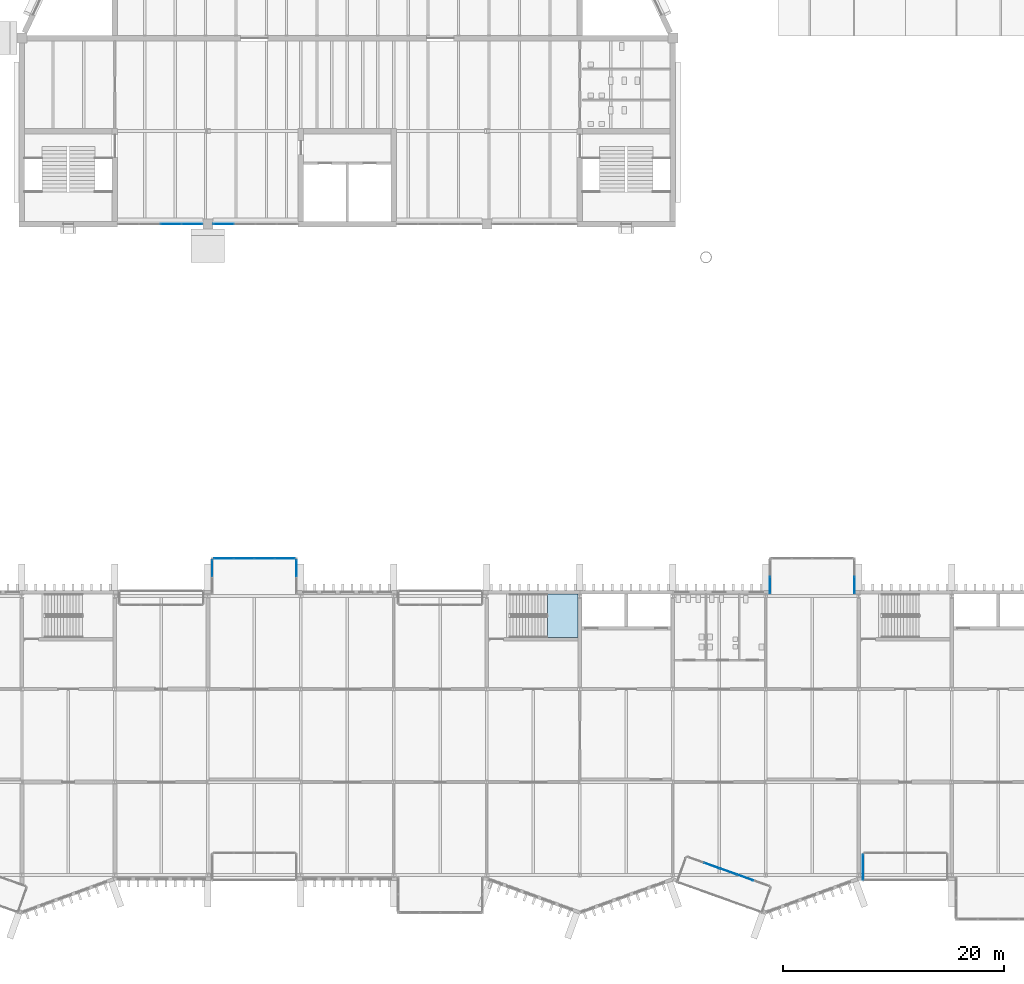
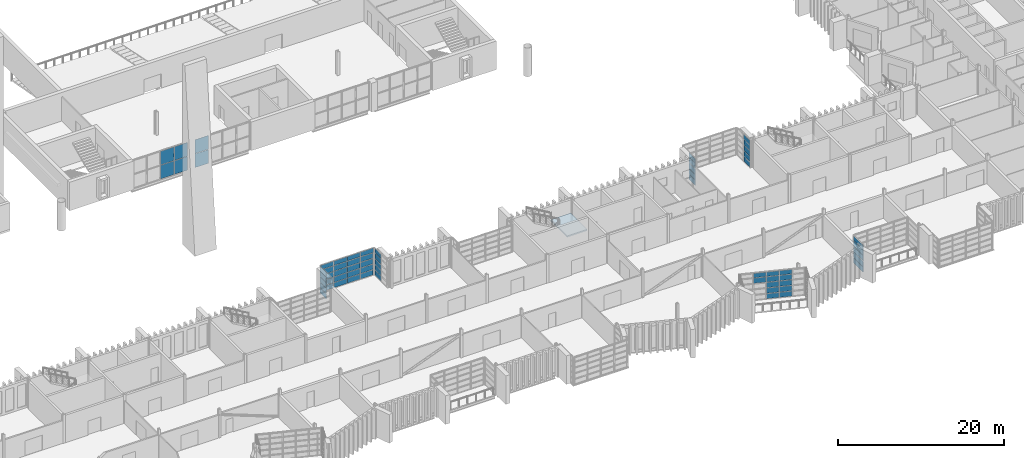
# One storey, part 51 of 100: 63 plates, 1 slab, 10 elements without a shape of their own.
"""IFC4 building model written with IfcOpenShell, lengths in metres."""

import ifcopenshell
import ifcopenshell.guid

model = None  # the IFC model being written
_history = None  # IfcOwnerHistory: only IFC2X3 demands one
_inside = {}  # id of a spatial element -> (the spatial element, [elements in it])
_under = {}  # id of a project, library or spatial element -> (it, [spatial elements below it])
_declared = {}  # id of a project -> (the project, [libraries it declares])
_typed = {}  # id of a type object -> (the type object, [elements of that type])
_made_of = {}  # id of a material, layer set ... -> (it, [elements and type objects made of it])


def new_model(schema):
    """Start an empty IFC model of exactly this schema.

    Asked for "IFC4X3", IfcOpenShell would pick the latest addendum, in which some entities
    have other attributes; the version numbers below select the first issue.
    IFC2X3 requires an IfcOwnerHistory on every rooted entity: one is made here for all.
    """
    global model, _history
    if schema == "IFC4X3":
        model = ifcopenshell.file(schema_version=(4, 3, 0, 0))
    else:
        model = ifcopenshell.file(schema=schema)
    _inside.clear()
    _under.clear()
    _declared.clear()
    _typed.clear()
    _made_of.clear()
    _history = None
    if model.schema == "IFC2X3":
        org = make("IfcOrganization", Name="unknown")
        user = make(
            "IfcPersonAndOrganization",
            ThePerson=make("IfcPerson", FamilyName="unknown"),
            TheOrganization=org,
        )
        app = make(
            "IfcApplication",
            ApplicationDeveloper=org,
            Version="unknown",
            ApplicationFullName="unknown",
            ApplicationIdentifier="unknown",
        )
        _history = make(
            "IfcOwnerHistory",
            OwningUser=user,
            OwningApplication=app,
            ChangeAction="ADDED",
            CreationDate=0,
        )
    return model


def make(cls, **values):
    """One entity of the class cls with the attributes given. An attribute that is None is left unset."""
    return model.create_entity(
        cls, **{name: value for name, value in values.items() if value is not None}
    )


def rooted(cls, **values):
    """An entity with a GlobalId (a new one), such as an element, a storey or a relation."""
    return make(cls, GlobalId=ifcopenshell.guid.new(), OwnerHistory=_history, **values)


def si_unit(unit_type, name, prefix=None):
    """IfcSIUnit, for example si_unit("LENGTHUNIT", "METRE", prefix="MILLI")."""
    return make("IfcSIUnit", UnitType=unit_type, Prefix=prefix, Name=name)


def assignment(units):
    """IfcUnitAssignment: the units of a project."""
    return None if units is None else make("IfcUnitAssignment", Units=units)


def point(xyz):
    """IfcCartesianPoint."""
    return None if xyz is None else make("IfcCartesianPoint", Coordinates=xyz)


def direction(xyz):
    """IfcDirection."""
    return None if xyz is None else make("IfcDirection", DirectionRatios=xyz)


def frame(location, z_axis=None, x_axis=None):
    """IfcAxis2Placement3D, a coordinate frame: its origin and axes. An axis left out is left unset."""
    return make(
        "IfcAxis2Placement3D",
        Location=point(location),
        Axis=direction(z_axis),
        RefDirection=direction(x_axis),
    )


def frame_2d(location, x_axis=None):
    """IfcAxis2Placement2D, a coordinate frame in the plane: its origin and x axis."""
    return make(
        "IfcAxis2Placement2D", Location=point(location), RefDirection=direction(x_axis)
    )


def origin():
    """The frame at (0, 0, 0) with its axes left unset."""
    return frame((0.0, 0.0, 0.0))


def origin_2d():
    """The frame at (0, 0) in the plane with its x axis left unset."""
    return frame_2d((0.0, 0.0))


def place(relative_to, where):
    """IfcLocalPlacement: puts the frame where relative to a parent placement (None: the world)."""
    return make(
        "IfcLocalPlacement", PlacementRelTo=relative_to, RelativePlacement=where
    )


def context(
    kind, dimensions, precision=None, world=None, true_north=None, identifier=None
):
    """IfcGeometricRepresentationContext, for example the 3D "Model" context."""
    return make(
        "IfcGeometricRepresentationContext",
        ContextIdentifier=identifier,
        ContextType=kind,
        CoordinateSpaceDimension=dimensions,
        Precision=precision,
        WorldCoordinateSystem=world,
        TrueNorth=true_north,
    )


def subcontext(parent, identifier, kind, view, scale=None):
    """IfcGeometricRepresentationSubContext, for example "Body" below "Model"."""
    return make(
        "IfcGeometricRepresentationSubContext",
        ContextIdentifier=identifier,
        ContextType=kind,
        ParentContext=parent,
        TargetScale=scale,
        TargetView=view,
    )


def project(units=None, contexts=None):
    """IfcProject with its units and contexts."""
    return rooted(
        "IfcProject",
        Name="project",
        RepresentationContexts=contexts,
        UnitsInContext=assignment(units),
    )


def spatial(cls, under=None, at=None, **own):
    """A site, building, storey or space (cls), placed at a placement, below another one or the project."""
    s = rooted(cls, ObjectPlacement=at, **own)
    if under is not None:
        _under.setdefault(under.id(), (under, []))[1].append(s)
    return s


def polyline(points):
    """IfcPolyline through the points."""
    return make("IfcPolyline", Points=[point(p) for p in points])


def profile(cls, at=None, kind="AREA", **sizes):
    """A parametric profile (cls). Its sizes go by their IFC names, for example OverallWidth=200.0."""
    return make(cls, ProfileType=kind, Position=at, **sizes)


def rectangle(**sizes):
    """IfcRectangleProfileDef."""
    return profile("IfcRectangleProfileDef", **sizes)


def outline(outer, holes=None, kind="AREA"):
    """IfcArbitraryClosedProfileDef: a profile drawn as a closed curve; with holes, ...WithVoids."""
    if holes is None:
        return make("IfcArbitraryClosedProfileDef", ProfileType=kind, OuterCurve=outer)
    return make(
        "IfcArbitraryProfileDefWithVoids",
        ProfileType=kind,
        OuterCurve=outer,
        InnerCurves=holes,
    )


def extrude(swept, where, along, depth):
    """IfcExtrudedAreaSolid: the profile swept, set in the frame where, extruded along a direction by depth."""
    return make(
        "IfcExtrudedAreaSolid",
        SweptArea=swept,
        Position=where,
        ExtrudedDirection=direction(along),
        Depth=depth,
    )


def shape(context_of_items, identifier, shape_type, items):
    """IfcShapeRepresentation: the items that make up one representation, for example the "Body"."""
    return make(
        "IfcShapeRepresentation",
        ContextOfItems=context_of_items,
        RepresentationIdentifier=identifier,
        RepresentationType=shape_type,
        Items=items,
    )


def material(Name=None, Category=None):
    """IfcMaterial."""
    return make("IfcMaterial", Name=Name, Category=Category)


def layer(
    of_material, thickness, ventilated=None, Name=None, Category=None, Priority=None
):
    """IfcMaterialLayer: one layer of a wall or slab, of a material (None: an air gap)."""
    return make(
        "IfcMaterialLayer",
        Material=of_material,
        LayerThickness=thickness,
        IsVentilated=ventilated,
        Name=Name,
        Category=Category,
        Priority=Priority,
    )


def layer_set(layers, Name=None):
    """IfcMaterialLayerSet."""
    return make("IfcMaterialLayerSet", MaterialLayers=layers, LayerSetName=Name)


def made_of(thing, what):
    """Note that an element or type object is made of a material, layer set ...; save() writes the relation."""
    if what is not None:
        _made_of.setdefault(what.id(), (what, []))[1].append(thing)
    return thing


def type_object(cls, material=None, **own):
    """A type object (cls), such as IfcWallType, which elements share."""
    return made_of(rooted(cls, **own), material)


def element(
    cls,
    number,
    at=None,
    inside=None,
    cuts=None,
    type_object=None,
    material=None,
    context=None,
    identifier="Body",
    shape_type=None,
    held_by="IfcProductDefinitionShape",
    body=None,
    shapes=None,
    **own,
):
    """One element of the class cls, such as IfcWall. Its Tag is "e" and its number.

    at: its placement. inside: the storey or other place that contains it. cuts: it is an
    opening in that element (IfcRelVoidsElement). A single representation is given by context,
    identifier, shape_type and body (its items); several are given by shapes. held_by: the class
    of the entity that holds the representations. save() writes the other relations.
    """
    e = rooted(cls, Tag="e%d" % number, ObjectPlacement=at, **own)
    if body is not None:
        shapes = [shape(context, identifier, shape_type, body)]
    if shapes is not None:
        e.Representation = make(held_by, Representations=shapes)
    if inside is not None:
        _inside.setdefault(inside.id(), (inside, []))[1].append(e)
    if cuts is not None:
        rooted(
            "IfcRelVoidsElement", RelatingBuildingElement=cuts, RelatedOpeningElement=e
        )
    if type_object is not None:
        _typed.setdefault(type_object.id(), (type_object, []))[1].append(e)
    return made_of(e, material)


def aggregate(whole, parts):
    """IfcRelAggregates: a whole, such as a stair, and the parts it consists of."""
    return rooted("IfcRelAggregates", RelatingObject=whole, RelatedObjects=parts)


def save(model, path):
    """Write the relations noted so far, then the file.

    IfcRelAggregates (storeys below a building ...), IfcRelContainedInSpatialStructure (elements
    in a storey), IfcRelDefinesByType, IfcRelAssociatesMaterial and IfcRelDeclares: one each for
    every whole, place, type object, material and project.
    """
    for whole, parts in _under.values():
        aggregate(whole, parts)
    for where, things in _inside.values():
        rooted(
            "IfcRelContainedInSpatialStructure",
            RelatedElements=things,
            RelatingStructure=where,
        )
    for kind, things in _typed.values():
        rooted("IfcRelDefinesByType", RelatedObjects=things, RelatingType=kind)
    for what, things in _made_of.values():
        rooted("IfcRelAssociatesMaterial", RelatedObjects=things, RelatingMaterial=what)
    for by, libraries in _declared.values():
        rooted("IfcRelDeclares", RelatingContext=by, RelatedDefinitions=libraries)
    model.write(path)


model = new_model("IFC4")

# Units and contexts
model_context = context("Model", 3, precision=1e-05, world=origin(), true_north=direction((0.0, 1.0)))
body_context = subcontext(model_context, "Body", "Model", "MODEL_VIEW")
ifc_project = project(units=[si_unit("LENGTHUNIT", "METRE"), si_unit("AREAUNIT", "SQUARE_METRE"), si_unit("VOLUMEUNIT", "CUBIC_METRE"), si_unit("PLANEANGLEUNIT", "RADIAN"), si_unit("MASSUNIT", "GRAM", prefix="KILO")], contexts=[model_context])

# Site, building, storey
site_placement = place(None, origin())
site = spatial("IfcSite", under=ifc_project, at=site_placement, CompositionType="ELEMENT")
building_placement = place(site_placement, origin())
building = spatial("IfcBuilding", under=site, at=building_placement, Name="Cresset Court Congress Hotel", CompositionType="ELEMENT")
storey_placement = place(building_placement, frame((0.0, 0.0, 10.199951171875)))
storey = spatial("IfcBuildingStorey", under=building, at=storey_placement, Name="L02", CompositionType="ELEMENT", Elevation=10.199951171875)

# Curtain wall, plates
ifc_material_1 = material(Name="Aluminium frame with double glazing", Category="aluminium")
ifc_layer_1 = layer(ifc_material_1, 0.199951171875)
ifc_layer_set_1 = layer_set([ifc_layer_1], Name="Glazed box curtain wall 1680 module")
curtain_wall_type_1 = type_object("IfcCurtainWallType", Name="Glazed box curtain wall 1680 module", PredefinedType="NOTDEFINED", material=ifc_layer_set_1)
curtain_wall_1_placement = place(storey_placement, origin())
curtain_wall_1 = element("IfcCurtainWall", 1, at=curtain_wall_1_placement, inside=storey, type_object=curtain_wall_type_1, Name="Glazed box S0219 side", PredefinedType="NOTDEFINED")
ifc_material_2 = material(Name="Toughened double glazing", Category="glass")
ifc_layer_2 = layer(ifc_material_2, 0.028076171875)
ifc_layer_set_2 = layer_set([ifc_layer_2], Name="Box glass panel 28")
plate_type_1 = type_object("IfcPlateType", Name="Box glass panel 28", PredefinedType="CURTAIN_PANEL", material=ifc_layer_set_2)
plate_1_placement = place(storey_placement, frame((134.800048828125, 0.699951171875, 0.06005859375), z_axis=(0.0, 0.0, 1.0), x_axis=(0.0, 1.0, 0.0)))
plate_1 = element("IfcPlate", 2, at=plate_1_placement, type_object=plate_type_1, Name="B-X1 panel 1.1", PredefinedType="CURTAIN_PANEL", context=body_context, shape_type="SweptSolid", body=[
    extrude(rectangle(XDim=2.280029296875, YDim=0.028076171875, at=origin_2d()), origin(), (0.0, 0.0, 1.0), 0.739990234375),
])
plate_2_placement = place(storey_placement, frame((134.800048828125, 0.699951171875, 0.860107421875), z_axis=(0.0, 0.0, 1.0), x_axis=(0.0, 1.0, 0.0)))
plate_2 = element("IfcPlate", 3, at=plate_2_placement, type_object=plate_type_1, Name="B-X1 panel 1.2", PredefinedType="CURTAIN_PANEL", context=body_context, shape_type="SweptSolid", body=[
    extrude(rectangle(XDim=2.280029296875, YDim=0.028076171875, at=origin_2d()), origin(), (0.0, 0.0, 1.0), 0.77001953125),
])
plate_3_placement = place(storey_placement, frame((134.800048828125, 0.699951171875, 1.68994140625), z_axis=(0.0, 0.0, 1.0), x_axis=(0.0, 1.0, 0.0)))
plate_3 = element("IfcPlate", 4, at=plate_3_placement, type_object=plate_type_1, Name="B-X1 panel 1.3", PredefinedType="CURTAIN_PANEL", context=body_context, shape_type="SweptSolid", body=[
    extrude(rectangle(XDim=2.280029296875, YDim=0.028076171875, at=origin_2d()), origin(), (0.0, 0.0, 1.0), 0.77001953125),
])
plate_4_placement = place(storey_placement, frame((134.800048828125, 0.699951171875, 2.52001953125), z_axis=(0.0, 0.0, 1.0), x_axis=(0.0, 1.0, 0.0)))
plate_4 = element("IfcPlate", 5, at=plate_4_placement, type_object=plate_type_1, Name="B-X1 panel 1.4", PredefinedType="CURTAIN_PANEL", context=body_context, shape_type="SweptSolid", body=[
    extrude(rectangle(XDim=2.280029296875, YDim=0.028076171875, at=origin_2d()), origin(), (0.0, 0.0, 1.0), 0.77001953125),
])

curtain_wall_2_placement = place(storey_placement, origin())
curtain_wall_2 = element("IfcCurtainWall", 6, at=curtain_wall_2_placement, inside=storey, type_object=curtain_wall_type_1, Name="Glazed box S0216 front", PredefinedType="NOTDEFINED")
plate_5_placement = place(storey_placement, frame((121.149169921875, 0.837158203125, 2.52001953125), z_axis=(0.0, 0.0, 1.0), x_axis=(0.941741911601, -0.336336396981, 0.0)))
plate_5 = element("IfcPlate", 7, at=plate_5_placement, type_object=plate_type_1, Name="B-X1 panel 2.4", PredefinedType="CURTAIN_PANEL", context=body_context, shape_type="SweptSolid", body=[
    extrude(rectangle(XDim=1.52392578125, YDim=0.028076171875, at=origin_2d()), origin(), (0.0, 0.0, 1.0), 0.77001953125),
])
plate_6_placement = place(storey_placement, frame((122.640869140625, 0.304443359375, 0.06005859375), z_axis=(0.0, 0.0, 1.0), x_axis=(0.941741911601, -0.336336396981, 0.0)))
plate_6 = element("IfcPlate", 8, at=plate_6_placement, type_object=plate_type_1, Name="B-X1 panel 3.1", PredefinedType="CURTAIN_PANEL", context=body_context, shape_type="SweptSolid", body=[
    extrude(rectangle(XDim=1.52392578125, YDim=0.028076171875, at=origin_2d()), origin(), (0.0, 0.0, 1.0), 0.739990234375),
])
plate_7_placement = place(storey_placement, frame((122.640869140625, 0.304443359375, 0.860107421875), z_axis=(0.0, 0.0, 1.0), x_axis=(0.941741911601, -0.336336396981, 0.0)))
plate_7 = element("IfcPlate", 9, at=plate_7_placement, type_object=plate_type_1, Name="B-X1 panel 3.2", PredefinedType="CURTAIN_PANEL", context=body_context, shape_type="SweptSolid", body=[
    extrude(rectangle(XDim=1.52392578125, YDim=0.028076171875, at=origin_2d()), origin(), (0.0, 0.0, 1.0), 0.77001953125),
])
plate_8_placement = place(storey_placement, frame((122.640869140625, 0.304443359375, 1.68994140625), z_axis=(0.0, 0.0, 1.0), x_axis=(0.941741911601, -0.336336396981, 0.0)))
plate_8 = element("IfcPlate", 10, at=plate_8_placement, type_object=plate_type_1, Name="B-X1 panel 3.3", PredefinedType="CURTAIN_PANEL", context=body_context, shape_type="SweptSolid", body=[
    extrude(rectangle(XDim=1.52392578125, YDim=0.028076171875, at=origin_2d()), origin(), (0.0, 0.0, 1.0), 0.77001953125),
])
plate_9_placement = place(storey_placement, frame((122.640869140625, 0.304443359375, 2.52001953125), z_axis=(0.0, 0.0, 1.0), x_axis=(0.941741911601, -0.336336396981, 0.0)))
plate_9 = element("IfcPlate", 11, at=plate_9_placement, type_object=plate_type_1, Name="B-X1 panel 3.4", PredefinedType="CURTAIN_PANEL", context=body_context, shape_type="SweptSolid", body=[
    extrude(rectangle(XDim=1.52392578125, YDim=0.028076171875, at=origin_2d()), origin(), (0.0, 0.0, 1.0), 0.77001953125),
])
plate_10_placement = place(storey_placement, frame((124.132568359375, -0.228271484375, 0.06005859375), z_axis=(0.0, 0.0, 1.0), x_axis=(0.941741911601, -0.336336396981, 0.0)))
plate_10 = element("IfcPlate", 12, at=plate_10_placement, type_object=plate_type_1, Name="B-X1 panel 4.1", PredefinedType="CURTAIN_PANEL", context=body_context, shape_type="SweptSolid", body=[
    extrude(rectangle(XDim=1.52392578125, YDim=0.028076171875, at=origin_2d()), origin(), (0.0, 0.0, 1.0), 0.739990234375),
])
plate_11_placement = place(storey_placement, frame((124.132568359375, -0.228271484375, 0.860107421875), z_axis=(0.0, 0.0, 1.0), x_axis=(0.941741911601, -0.336336396981, 0.0)))
plate_11 = element("IfcPlate", 13, at=plate_11_placement, type_object=plate_type_1, Name="B-X1 panel 4.2", PredefinedType="CURTAIN_PANEL", context=body_context, shape_type="SweptSolid", body=[
    extrude(rectangle(XDim=1.52392578125, YDim=0.028076171875, at=origin_2d()), origin(), (0.0, 0.0, 1.0), 0.77001953125),
])
plate_12_placement = place(storey_placement, frame((124.132568359375, -0.228271484375, 1.68994140625), z_axis=(0.0, 0.0, 1.0), x_axis=(0.941741911601, -0.336336396981, 0.0)))
plate_12 = element("IfcPlate", 14, at=plate_12_placement, type_object=plate_type_1, Name="B-X1 panel 4.3", PredefinedType="CURTAIN_PANEL", context=body_context, shape_type="SweptSolid", body=[
    extrude(rectangle(XDim=1.52392578125, YDim=0.028076171875, at=origin_2d()), origin(), (0.0, 0.0, 1.0), 0.77001953125),
])
plate_13_placement = place(storey_placement, frame((124.132568359375, -0.228271484375, 2.52001953125), z_axis=(0.0, 0.0, 1.0), x_axis=(0.941741911601, -0.336336396981, 0.0)))
plate_13 = element("IfcPlate", 15, at=plate_13_placement, type_object=plate_type_1, Name="B-X1 panel 4.4", PredefinedType="CURTAIN_PANEL", context=body_context, shape_type="SweptSolid", body=[
    extrude(rectangle(XDim=1.52392578125, YDim=0.028076171875, at=origin_2d()), origin(), (0.0, 0.0, 1.0), 0.77001953125),
])

curtain_wall_3_placement = place(storey_placement, origin())
curtain_wall_3 = element("IfcCurtainWall", 16, at=curtain_wall_3_placement, inside=storey, type_object=curtain_wall_type_1, Name="Glazed box N0228 front", PredefinedType="NOTDEFINED")
plate_14_placement = place(storey_placement, frame((77.0400390625, 28.60009765625, 0.06005859375), z_axis=(0.0, 0.0, 1.0), x_axis=(1.0, 0.0, 0.0)))
plate_14 = element("IfcPlate", 17, at=plate_14_placement, type_object=plate_type_1, Name="B-X1 panel 1.1", PredefinedType="CURTAIN_PANEL", context=body_context, shape_type="SweptSolid", body=[
    extrude(rectangle(XDim=1.760009765625, YDim=0.028076171875, at=origin_2d()), origin(), (0.0, 0.0, 1.0), 0.739990234375),
])
plate_15_placement = place(storey_placement, frame((77.0400390625, 28.60009765625, 0.860107421875), z_axis=(0.0, 0.0, 1.0), x_axis=(1.0, 0.0, 0.0)))
plate_15 = element("IfcPlate", 18, at=plate_15_placement, type_object=plate_type_1, Name="B-X1 panel 1.2", PredefinedType="CURTAIN_PANEL", context=body_context, shape_type="SweptSolid", body=[
    extrude(rectangle(XDim=1.760009765625, YDim=0.028076171875, at=origin_2d()), origin(), (0.0, 0.0, 1.0), 0.77001953125),
])
plate_16_placement = place(storey_placement, frame((77.0400390625, 28.60009765625, 1.68994140625), z_axis=(0.0, 0.0, 1.0), x_axis=(1.0, 0.0, 0.0)))
plate_16 = element("IfcPlate", 19, at=plate_16_placement, type_object=plate_type_1, Name="B-X1 panel 1.3", PredefinedType="CURTAIN_PANEL", context=body_context, shape_type="SweptSolid", body=[
    extrude(rectangle(XDim=1.760009765625, YDim=0.028076171875, at=origin_2d()), origin(), (0.0, 0.0, 1.0), 0.77001953125),
])
plate_17_placement = place(storey_placement, frame((77.0400390625, 28.60009765625, 2.52001953125), z_axis=(0.0, 0.0, 1.0), x_axis=(1.0, 0.0, 0.0)))
plate_17 = element("IfcPlate", 20, at=plate_17_placement, type_object=plate_type_1, Name="B-X1 panel 1.4", PredefinedType="CURTAIN_PANEL", context=body_context, shape_type="SweptSolid", body=[
    extrude(rectangle(XDim=1.760009765625, YDim=0.028076171875, at=origin_2d()), origin(), (0.0, 0.0, 1.0), 0.77001953125),
])
plate_18_placement = place(storey_placement, frame((78.875, 28.60009765625, 0.06005859375), z_axis=(0.0, 0.0, 1.0), x_axis=(1.0, 0.0, 0.0)))
plate_18 = element("IfcPlate", 21, at=plate_18_placement, type_object=plate_type_1, Name="B-X1 panel 2.1", PredefinedType="CURTAIN_PANEL", context=body_context, shape_type="SweptSolid", body=[
    extrude(rectangle(XDim=1.7900390625, YDim=0.028076171875, at=origin_2d()), origin(), (0.0, 0.0, 1.0), 0.739990234375),
])
plate_19_placement = place(storey_placement, frame((78.875, 28.60009765625, 0.860107421875), z_axis=(0.0, 0.0, 1.0), x_axis=(1.0, 0.0, 0.0)))
plate_19 = element("IfcPlate", 22, at=plate_19_placement, type_object=plate_type_1, Name="B-X1 panel 2.2", PredefinedType="CURTAIN_PANEL", context=body_context, shape_type="SweptSolid", body=[
    extrude(rectangle(XDim=1.7900390625, YDim=0.028076171875, at=origin_2d()), origin(), (0.0, 0.0, 1.0), 0.77001953125),
])
plate_20_placement = place(storey_placement, frame((78.875, 28.60009765625, 1.68994140625), z_axis=(0.0, 0.0, 1.0), x_axis=(1.0, 0.0, 0.0)))
plate_20 = element("IfcPlate", 23, at=plate_20_placement, type_object=plate_type_1, Name="B-X1 panel 2.3", PredefinedType="CURTAIN_PANEL", context=body_context, shape_type="SweptSolid", body=[
    extrude(rectangle(XDim=1.7900390625, YDim=0.028076171875, at=origin_2d()), origin(), (0.0, 0.0, 1.0), 0.77001953125),
])
plate_21_placement = place(storey_placement, frame((78.875, 28.60009765625, 2.52001953125), z_axis=(0.0, 0.0, 1.0), x_axis=(1.0, 0.0, 0.0)))
plate_21 = element("IfcPlate", 24, at=plate_21_placement, type_object=plate_type_1, Name="B-X1 panel 2.4", PredefinedType="CURTAIN_PANEL", context=body_context, shape_type="SweptSolid", body=[
    extrude(rectangle(XDim=1.7900390625, YDim=0.028076171875, at=origin_2d()), origin(), (0.0, 0.0, 1.0), 0.77001953125),
])
plate_22_placement = place(storey_placement, frame((80.72509765625, 28.60009765625, 0.06005859375), z_axis=(0.0, 0.0, 1.0), x_axis=(1.0, 0.0, 0.0)))
plate_22 = element("IfcPlate", 25, at=plate_22_placement, type_object=plate_type_1, Name="B-X1 panel 3.1", PredefinedType="CURTAIN_PANEL", context=body_context, shape_type="SweptSolid", body=[
    extrude(rectangle(XDim=1.7900390625, YDim=0.028076171875, at=origin_2d()), origin(), (0.0, 0.0, 1.0), 0.739990234375),
])
plate_23_placement = place(storey_placement, frame((80.72509765625, 28.60009765625, 0.860107421875), z_axis=(0.0, 0.0, 1.0), x_axis=(1.0, 0.0, 0.0)))
plate_23 = element("IfcPlate", 26, at=plate_23_placement, type_object=plate_type_1, Name="B-X1 panel 3.2", PredefinedType="CURTAIN_PANEL", context=body_context, shape_type="SweptSolid", body=[
    extrude(rectangle(XDim=1.7900390625, YDim=0.028076171875, at=origin_2d()), origin(), (0.0, 0.0, 1.0), 0.77001953125),
])
plate_24_placement = place(storey_placement, frame((80.72509765625, 28.60009765625, 1.68994140625), z_axis=(0.0, 0.0, 1.0), x_axis=(1.0, 0.0, 0.0)))
plate_24 = element("IfcPlate", 27, at=plate_24_placement, type_object=plate_type_1, Name="B-X1 panel 3.3", PredefinedType="CURTAIN_PANEL", context=body_context, shape_type="SweptSolid", body=[
    extrude(rectangle(XDim=1.7900390625, YDim=0.028076171875, at=origin_2d()), origin(), (0.0, 0.0, 1.0), 0.77001953125),
])
plate_25_placement = place(storey_placement, frame((80.72509765625, 28.60009765625, 2.52001953125), z_axis=(0.0, 0.0, 1.0), x_axis=(1.0, 0.0, 0.0)))
plate_25 = element("IfcPlate", 28, at=plate_25_placement, type_object=plate_type_1, Name="B-X1 panel 3.4", PredefinedType="CURTAIN_PANEL", context=body_context, shape_type="SweptSolid", body=[
    extrude(rectangle(XDim=1.7900390625, YDim=0.028076171875, at=origin_2d()), origin(), (0.0, 0.0, 1.0), 0.77001953125),
])
plate_26_placement = place(storey_placement, frame((82.56005859375, 28.60009765625, 0.06005859375), z_axis=(0.0, 0.0, 1.0), x_axis=(1.0, 0.0, 0.0)))
plate_26 = element("IfcPlate", 29, at=plate_26_placement, type_object=plate_type_1, Name="B-X1 panel 4.1", PredefinedType="CURTAIN_PANEL", context=body_context, shape_type="SweptSolid", body=[
    extrude(rectangle(XDim=1.760009765625, YDim=0.028076171875, at=origin_2d()), origin(), (0.0, 0.0, 1.0), 0.739990234375),
])
plate_27_placement = place(storey_placement, frame((82.56005859375, 28.60009765625, 0.860107421875), z_axis=(0.0, 0.0, 1.0), x_axis=(1.0, 0.0, 0.0)))
plate_27 = element("IfcPlate", 30, at=plate_27_placement, type_object=plate_type_1, Name="B-X1 panel 4.2", PredefinedType="CURTAIN_PANEL", context=body_context, shape_type="SweptSolid", body=[
    extrude(rectangle(XDim=1.760009765625, YDim=0.028076171875, at=origin_2d()), origin(), (0.0, 0.0, 1.0), 0.77001953125),
])
plate_28_placement = place(storey_placement, frame((82.56005859375, 28.60009765625, 1.68994140625), z_axis=(0.0, 0.0, 1.0), x_axis=(1.0, 0.0, 0.0)))
plate_28 = element("IfcPlate", 31, at=plate_28_placement, type_object=plate_type_1, Name="B-X1 panel 4.3", PredefinedType="CURTAIN_PANEL", context=body_context, shape_type="SweptSolid", body=[
    extrude(rectangle(XDim=1.760009765625, YDim=0.028076171875, at=origin_2d()), origin(), (0.0, 0.0, 1.0), 0.77001953125),
])
plate_29_placement = place(storey_placement, frame((82.56005859375, 28.60009765625, 2.52001953125), z_axis=(0.0, 0.0, 1.0), x_axis=(1.0, 0.0, 0.0)))
plate_29 = element("IfcPlate", 32, at=plate_29_placement, type_object=plate_type_1, Name="B-X1 panel 4.4", PredefinedType="CURTAIN_PANEL", context=body_context, shape_type="SweptSolid", body=[
    extrude(rectangle(XDim=1.760009765625, YDim=0.028076171875, at=origin_2d()), origin(), (0.0, 0.0, 1.0), 0.77001953125),
])

curtain_wall_4_placement = place(storey_placement, origin())
curtain_wall_4 = element("IfcCurtainWall", 33, at=curtain_wall_4_placement, inside=storey, type_object=curtain_wall_type_1, Name="Glazed box N0228 side", PredefinedType="NOTDEFINED")
plate_30_placement = place(storey_placement, frame((76.0, 27.7099609375, 0.06005859375), z_axis=(0.0, 0.0, 1.0), x_axis=(0.0, 1.0, 0.0)))
plate_30 = element("IfcPlate", 34, at=plate_30_placement, type_object=plate_type_1, Name="B-X1 panel 2.1", PredefinedType="CURTAIN_PANEL", context=body_context, shape_type="SweptSolid", body=[
    extrude(rectangle(XDim=1.4599609375, YDim=0.028076171875, at=origin_2d()), origin(), (0.0, 0.0, 1.0), 0.739990234375),
])
plate_31_placement = place(storey_placement, frame((76.0, 27.7099609375, 0.860107421875), z_axis=(0.0, 0.0, 1.0), x_axis=(0.0, 1.0, 0.0)))
plate_31 = element("IfcPlate", 35, at=plate_31_placement, type_object=plate_type_1, Name="B-X1 panel 2.2", PredefinedType="CURTAIN_PANEL", context=body_context, shape_type="SweptSolid", body=[
    extrude(rectangle(XDim=1.4599609375, YDim=0.028076171875, at=origin_2d()), origin(), (0.0, 0.0, 1.0), 0.77001953125),
])
plate_32_placement = place(storey_placement, frame((76.0, 27.7099609375, 1.68994140625), z_axis=(0.0, 0.0, 1.0), x_axis=(0.0, 1.0, 0.0)))
plate_32 = element("IfcPlate", 36, at=plate_32_placement, type_object=plate_type_1, Name="B-X1 panel 2.3", PredefinedType="CURTAIN_PANEL", context=body_context, shape_type="SweptSolid", body=[
    extrude(rectangle(XDim=1.4599609375, YDim=0.028076171875, at=origin_2d()), origin(), (0.0, 0.0, 1.0), 0.77001953125),
])
plate_33_placement = place(storey_placement, frame((76.0, 27.7099609375, 2.52001953125), z_axis=(0.0, 0.0, 1.0), x_axis=(0.0, 1.0, 0.0)))
plate_33 = element("IfcPlate", 37, at=plate_33_placement, type_object=plate_type_1, Name="B-X1 panel 2.4", PredefinedType="CURTAIN_PANEL", context=body_context, shape_type="SweptSolid", body=[
    extrude(rectangle(XDim=1.4599609375, YDim=0.028076171875, at=origin_2d()), origin(), (0.0, 0.0, 1.0), 0.77001953125),
])

curtain_wall_5_placement = place(storey_placement, origin())
curtain_wall_5 = element("IfcCurtainWall", 38, at=curtain_wall_5_placement, inside=storey, type_object=curtain_wall_type_1, Name="Glazed box N0228 side", PredefinedType="NOTDEFINED")
plate_34_placement = place(storey_placement, frame((83.60009765625, 27.7099609375, 0.06005859375), z_axis=(0.0, 0.0, 1.0), x_axis=(0.0, 1.0, 0.0)))
plate_34 = element("IfcPlate", 39, at=plate_34_placement, type_object=plate_type_1, Name="B-X1 panel 2.1", PredefinedType="CURTAIN_PANEL", context=body_context, shape_type="SweptSolid", body=[
    extrude(rectangle(XDim=1.4599609375, YDim=0.028076171875, at=origin_2d()), origin(), (0.0, 0.0, 1.0), 0.739990234375),
])
plate_35_placement = place(storey_placement, frame((83.60009765625, 27.7099609375, 0.860107421875), z_axis=(0.0, 0.0, 1.0), x_axis=(0.0, 1.0, 0.0)))
plate_35 = element("IfcPlate", 40, at=plate_35_placement, type_object=plate_type_1, Name="B-X1 panel 2.2", PredefinedType="CURTAIN_PANEL", context=body_context, shape_type="SweptSolid", body=[
    extrude(rectangle(XDim=1.4599609375, YDim=0.028076171875, at=origin_2d()), origin(), (0.0, 0.0, 1.0), 0.77001953125),
])
plate_36_placement = place(storey_placement, frame((83.60009765625, 27.7099609375, 1.68994140625), z_axis=(0.0, 0.0, 1.0), x_axis=(0.0, 1.0, 0.0)))
plate_36 = element("IfcPlate", 41, at=plate_36_placement, type_object=plate_type_1, Name="B-X1 panel 2.3", PredefinedType="CURTAIN_PANEL", context=body_context, shape_type="SweptSolid", body=[
    extrude(rectangle(XDim=1.4599609375, YDim=0.028076171875, at=origin_2d()), origin(), (0.0, 0.0, 1.0), 0.77001953125),
])
plate_37_placement = place(storey_placement, frame((83.60009765625, 27.7099609375, 2.52001953125), z_axis=(0.0, 0.0, 1.0), x_axis=(0.0, 1.0, 0.0)))
plate_37 = element("IfcPlate", 42, at=plate_37_placement, type_object=plate_type_1, Name="B-X1 panel 2.4", PredefinedType="CURTAIN_PANEL", context=body_context, shape_type="SweptSolid", body=[
    extrude(rectangle(XDim=1.4599609375, YDim=0.028076171875, at=origin_2d()), origin(), (0.0, 0.0, 1.0), 0.77001953125),
])

curtain_wall_6_placement = place(storey_placement, origin())
curtain_wall_6 = element("IfcCurtainWall", 43, at=curtain_wall_6_placement, inside=storey, type_object=curtain_wall_type_1, Name="Glazed box N0232 side", PredefinedType="NOTDEFINED")
plate_38_placement = place(storey_placement, frame((126.39990234375, 26.18994140625, 0.06005859375), z_axis=(0.0, 0.0, 1.0), x_axis=(0.0, 1.0, 0.0)))
plate_38 = element("IfcPlate", 44, at=plate_38_placement, type_object=plate_type_1, Name="B-X1 panel 1.1", PredefinedType="CURTAIN_PANEL", context=body_context, shape_type="SweptSolid", body=[
    extrude(rectangle(XDim=1.4599609375, YDim=0.028076171875, at=origin_2d()), origin(), (0.0, 0.0, 1.0), 0.739990234375),
])
plate_39_placement = place(storey_placement, frame((126.39990234375, 26.18994140625, 0.860107421875), z_axis=(0.0, 0.0, 1.0), x_axis=(0.0, 1.0, 0.0)))
plate_39 = element("IfcPlate", 45, at=plate_39_placement, type_object=plate_type_1, Name="B-X1 panel 1.2", PredefinedType="CURTAIN_PANEL", context=body_context, shape_type="SweptSolid", body=[
    extrude(rectangle(XDim=1.4599609375, YDim=0.028076171875, at=origin_2d()), origin(), (0.0, 0.0, 1.0), 0.77001953125),
])
plate_40_placement = place(storey_placement, frame((126.39990234375, 26.18994140625, 1.68994140625), z_axis=(0.0, 0.0, 1.0), x_axis=(0.0, 1.0, 0.0)))
plate_40 = element("IfcPlate", 46, at=plate_40_placement, type_object=plate_type_1, Name="B-X1 panel 1.3", PredefinedType="CURTAIN_PANEL", context=body_context, shape_type="SweptSolid", body=[
    extrude(rectangle(XDim=1.4599609375, YDim=0.028076171875, at=origin_2d()), origin(), (0.0, 0.0, 1.0), 0.77001953125),
])
plate_41_placement = place(storey_placement, frame((126.39990234375, 26.18994140625, 2.52001953125), z_axis=(0.0, 0.0, 1.0), x_axis=(0.0, 1.0, 0.0)))
plate_41 = element("IfcPlate", 47, at=plate_41_placement, type_object=plate_type_1, Name="B-X1 panel 1.4", PredefinedType="CURTAIN_PANEL", context=body_context, shape_type="SweptSolid", body=[
    extrude(rectangle(XDim=1.4599609375, YDim=0.028076171875, at=origin_2d()), origin(), (0.0, 0.0, 1.0), 0.77001953125),
])

curtain_wall_7_placement = place(storey_placement, origin())
curtain_wall_7 = element("IfcCurtainWall", 48, at=curtain_wall_7_placement, inside=storey, type_object=curtain_wall_type_1, Name="Glazed box N0232 side", PredefinedType="NOTDEFINED")
plate_42_placement = place(storey_placement, frame((134.0, 26.18994140625, 0.06005859375), z_axis=(0.0, 0.0, 1.0), x_axis=(0.0, 1.0, 0.0)))
plate_42 = element("IfcPlate", 49, at=plate_42_placement, type_object=plate_type_1, Name="B-X1 panel 1.1", PredefinedType="CURTAIN_PANEL", context=body_context, shape_type="SweptSolid", body=[
    extrude(rectangle(XDim=1.4599609375, YDim=0.028076171875, at=origin_2d()), origin(), (0.0, 0.0, 1.0), 0.739990234375),
])
plate_43_placement = place(storey_placement, frame((134.0, 26.18994140625, 0.860107421875), z_axis=(0.0, 0.0, 1.0), x_axis=(0.0, 1.0, 0.0)))
plate_43 = element("IfcPlate", 50, at=plate_43_placement, type_object=plate_type_1, Name="B-X1 panel 1.2", PredefinedType="CURTAIN_PANEL", context=body_context, shape_type="SweptSolid", body=[
    extrude(rectangle(XDim=1.4599609375, YDim=0.028076171875, at=origin_2d()), origin(), (0.0, 0.0, 1.0), 0.77001953125),
])
plate_44_placement = place(storey_placement, frame((134.0, 26.18994140625, 1.68994140625), z_axis=(0.0, 0.0, 1.0), x_axis=(0.0, 1.0, 0.0)))
plate_44 = element("IfcPlate", 51, at=plate_44_placement, type_object=plate_type_1, Name="B-X1 panel 1.3", PredefinedType="CURTAIN_PANEL", context=body_context, shape_type="SweptSolid", body=[
    extrude(rectangle(XDim=1.4599609375, YDim=0.028076171875, at=origin_2d()), origin(), (0.0, 0.0, 1.0), 0.77001953125),
])
plate_45_placement = place(storey_placement, frame((134.0, 26.18994140625, 2.52001953125), z_axis=(0.0, 0.0, 1.0), x_axis=(0.0, 1.0, 0.0)))
plate_45 = element("IfcPlate", 52, at=plate_45_placement, type_object=plate_type_1, Name="B-X1 panel 1.4", PredefinedType="CURTAIN_PANEL", context=body_context, shape_type="SweptSolid", body=[
    extrude(rectangle(XDim=1.4599609375, YDim=0.028076171875, at=origin_2d()), origin(), (0.0, 0.0, 1.0), 0.77001953125),
])

# Plate
ifc_material_3 = material(Name="Insulated aluminium spandrel panel", Category="aluminium")
ifc_layer_3 = layer(ifc_material_3, 0.0400390625)
ifc_layer_set_3 = layer_set([ifc_layer_3], Name="Box spandrel panel 40")
plate_type_2 = type_object("IfcPlateType", Name="Box spandrel panel 40", PredefinedType="CURTAIN_PANEL", material=ifc_layer_set_3)
plate_46_placement = place(storey_placement, frame((134.800048828125, 0.699951171875, 3.35009765625), z_axis=(0.0, 0.0, 1.0), x_axis=(0.0, 1.0, 0.0)))
plate_46 = element("IfcPlate", 53, at=plate_46_placement, type_object=plate_type_2, Name="B-X1 spandrel panel 1.5", PredefinedType="CURTAIN_PANEL", context=body_context, shape_type="SweptSolid", body=[
    extrude(rectangle(XDim=2.280029296875, YDim=0.0400390625, at=origin_2d()), origin(), (0.0, 0.0, 1.0), 0.639892578125),
])

aggregate(curtain_wall_1, [plate_1, plate_2, plate_3, plate_4, plate_46])

plate_47_placement = place(storey_placement, frame((121.149169921875, 0.837158203125, 3.35009765625), z_axis=(0.0, 0.0, 1.0), x_axis=(0.941741911601, -0.336336396981, 0.0)))
plate_47 = element("IfcPlate", 54, at=plate_47_placement, type_object=plate_type_2, Name="B-X1 spandrel panel 2.5", PredefinedType="CURTAIN_PANEL", context=body_context, shape_type="SweptSolid", body=[
    extrude(rectangle(XDim=1.52392578125, YDim=0.0400390625, at=origin_2d()), origin(), (0.0, 0.0, 1.0), 0.639892578125),
])

plate_48_placement = place(storey_placement, frame((122.640869140625, 0.304443359375, 3.35009765625), z_axis=(0.0, 0.0, 1.0), x_axis=(0.941741911601, -0.336336396981, 0.0)))
plate_48 = element("IfcPlate", 55, at=plate_48_placement, type_object=plate_type_2, Name="B-X1 spandrel panel 3.5", PredefinedType="CURTAIN_PANEL", context=body_context, shape_type="SweptSolid", body=[
    extrude(rectangle(XDim=1.52392578125, YDim=0.0400390625, at=origin_2d()), origin(), (0.0, 0.0, 1.0), 0.639892578125),
])

plate_49_placement = place(storey_placement, frame((124.132568359375, -0.228271484375, 3.35009765625), z_axis=(0.0, 0.0, 1.0), x_axis=(0.941741911601, -0.336336396981, 0.0)))
plate_49 = element("IfcPlate", 56, at=plate_49_placement, type_object=plate_type_2, Name="B-X1 spandrel panel 4.5", PredefinedType="CURTAIN_PANEL", context=body_context, shape_type="SweptSolid", body=[
    extrude(rectangle(XDim=1.52392578125, YDim=0.0400390625, at=origin_2d()), origin(), (0.0, 0.0, 1.0), 0.639892578125),
])

aggregate(curtain_wall_2, [plate_5, plate_47, plate_6, plate_7, plate_8, plate_9, plate_48, plate_10, plate_11, plate_12, plate_13, plate_49])

plate_50_placement = place(storey_placement, frame((77.0400390625, 28.60009765625, 3.35009765625), z_axis=(0.0, 0.0, 1.0), x_axis=(1.0, 0.0, 0.0)))
plate_50 = element("IfcPlate", 57, at=plate_50_placement, type_object=plate_type_2, Name="B-X1 spandrel panel 1.5", PredefinedType="CURTAIN_PANEL", context=body_context, shape_type="SweptSolid", body=[
    extrude(rectangle(XDim=1.760009765625, YDim=0.0400390625, at=origin_2d()), origin(), (0.0, 0.0, 1.0), 0.639892578125),
])

plate_51_placement = place(storey_placement, frame((78.875, 28.60009765625, 3.35009765625), z_axis=(0.0, 0.0, 1.0), x_axis=(1.0, 0.0, 0.0)))
plate_51 = element("IfcPlate", 58, at=plate_51_placement, type_object=plate_type_2, Name="B-X1 spandrel panel 2.5", PredefinedType="CURTAIN_PANEL", context=body_context, shape_type="SweptSolid", body=[
    extrude(rectangle(XDim=1.7900390625, YDim=0.0400390625, at=origin_2d()), origin(), (0.0, 0.0, 1.0), 0.639892578125),
])

plate_52_placement = place(storey_placement, frame((80.72509765625, 28.60009765625, 3.35009765625), z_axis=(0.0, 0.0, 1.0), x_axis=(1.0, 0.0, 0.0)))
plate_52 = element("IfcPlate", 59, at=plate_52_placement, type_object=plate_type_2, Name="B-X1 spandrel panel 3.5", PredefinedType="CURTAIN_PANEL", context=body_context, shape_type="SweptSolid", body=[
    extrude(rectangle(XDim=1.7900390625, YDim=0.0400390625, at=origin_2d()), origin(), (0.0, 0.0, 1.0), 0.639892578125),
])

plate_53_placement = place(storey_placement, frame((82.56005859375, 28.60009765625, 3.35009765625), z_axis=(0.0, 0.0, 1.0), x_axis=(1.0, 0.0, 0.0)))
plate_53 = element("IfcPlate", 60, at=plate_53_placement, type_object=plate_type_2, Name="B-X1 spandrel panel 4.5", PredefinedType="CURTAIN_PANEL", context=body_context, shape_type="SweptSolid", body=[
    extrude(rectangle(XDim=1.760009765625, YDim=0.0400390625, at=origin_2d()), origin(), (0.0, 0.0, 1.0), 0.639892578125),
])

aggregate(curtain_wall_3, [plate_14, plate_15, plate_16, plate_17, plate_50, plate_18, plate_19, plate_20, plate_21, plate_51, plate_22, plate_23, plate_24, plate_25, plate_52, plate_26, plate_27, plate_28, plate_29, plate_53])

plate_54_placement = place(storey_placement, frame((76.0, 27.7099609375, 3.35009765625), z_axis=(0.0, 0.0, 1.0), x_axis=(0.0, 1.0, 0.0)))
plate_54 = element("IfcPlate", 61, at=plate_54_placement, type_object=plate_type_2, Name="B-X1 spandrel panel 2.5", PredefinedType="CURTAIN_PANEL", context=body_context, shape_type="SweptSolid", body=[
    extrude(rectangle(XDim=1.4599609375, YDim=0.0400390625, at=origin_2d()), origin(), (0.0, 0.0, 1.0), 0.639892578125),
])

aggregate(curtain_wall_4, [plate_30, plate_31, plate_32, plate_33, plate_54])

plate_55_placement = place(storey_placement, frame((83.60009765625, 27.7099609375, 3.35009765625), z_axis=(0.0, 0.0, 1.0), x_axis=(0.0, 1.0, 0.0)))
plate_55 = element("IfcPlate", 62, at=plate_55_placement, type_object=plate_type_2, Name="B-X1 spandrel panel 2.5", PredefinedType="CURTAIN_PANEL", context=body_context, shape_type="SweptSolid", body=[
    extrude(rectangle(XDim=1.4599609375, YDim=0.0400390625, at=origin_2d()), origin(), (0.0, 0.0, 1.0), 0.639892578125),
])

aggregate(curtain_wall_5, [plate_34, plate_35, plate_36, plate_37, plate_55])

plate_56_placement = place(storey_placement, frame((126.39990234375, 26.18994140625, 3.35009765625), z_axis=(0.0, 0.0, 1.0), x_axis=(0.0, 1.0, 0.0)))
plate_56 = element("IfcPlate", 63, at=plate_56_placement, type_object=plate_type_2, Name="B-X1 spandrel panel 1.5", PredefinedType="CURTAIN_PANEL", context=body_context, shape_type="SweptSolid", body=[
    extrude(rectangle(XDim=1.4599609375, YDim=0.0400390625, at=origin_2d()), origin(), (0.0, 0.0, 1.0), 0.639892578125),
])

aggregate(curtain_wall_6, [plate_38, plate_39, plate_40, plate_41, plate_56])

plate_57_placement = place(storey_placement, frame((134.0, 26.18994140625, 3.35009765625), z_axis=(0.0, 0.0, 1.0), x_axis=(0.0, 1.0, 0.0)))
plate_57 = element("IfcPlate", 64, at=plate_57_placement, type_object=plate_type_2, Name="B-X1 spandrel panel 1.5", PredefinedType="CURTAIN_PANEL", context=body_context, shape_type="SweptSolid", body=[
    extrude(rectangle(XDim=1.4599609375, YDim=0.0400390625, at=origin_2d()), origin(), (0.0, 0.0, 1.0), 0.639892578125),
])

aggregate(curtain_wall_7, [plate_42, plate_43, plate_44, plate_45, plate_57])

# Curtain wall, plates
ifc_material_4 = material(Name="Aluminium and glass", Category="aluminium")
ifc_layer_4 = layer(ifc_material_4, 0.199951171875)
ifc_layer_set_4 = layer_set([ifc_layer_4], Name="Foyer curtain wall 1925 module")
curtain_wall_type_2 = type_object("IfcCurtainWallType", Name="Foyer curtain wall 1925 module", PredefinedType="NOTDEFINED", material=ifc_layer_set_4)
curtain_wall_8_placement = place(storey_placement, origin())
curtain_wall_8 = element("IfcCurtainWall", 65, at=curtain_wall_8_placement, inside=storey, type_object=curtain_wall_type_2, Name="Curtain wall CX-021", PredefinedType="NOTDEFINED")
ifc_material_5 = material(Name="Laminated glass", Category="glass")
ifc_layer_5 = layer(ifc_material_5, 0.028076171875)
ifc_layer_set_5 = layer_set([ifc_layer_5], Name="Curtain wall glass panel 28")
plate_type_3 = type_object("IfcPlateType", Name="Curtain wall glass panel 28", PredefinedType="CURTAIN_PANEL", material=ifc_layer_set_5)
plate_58_placement = place(storey_placement, frame((72.262451171875, 58.800048828125, 0.06005859375), z_axis=(0.0, 0.0, 1.0), x_axis=(1.0, 0.0, 0.0)))
plate_58 = element("IfcPlate", 66, at=plate_58_placement, type_object=plate_type_3, Name="C-X1 panel 3.1", PredefinedType="CURTAIN_PANEL", context=body_context, shape_type="SweptSolid", body=[
    extrude(rectangle(XDim=1.864990234375, YDim=0.028076171875, at=origin_2d()), origin(), (0.0, 0.0, 1.0), 2.010009765625),
])
plate_59_placement = place(storey_placement, frame((72.262451171875, 58.800048828125, 2.1298828125), z_axis=(0.0, 0.0, 1.0), x_axis=(1.0, 0.0, 0.0)))
plate_59 = element("IfcPlate", 67, at=plate_59_placement, type_object=plate_type_3, Name="C-X1 panel 3.2", PredefinedType="CURTAIN_PANEL", context=body_context, shape_type="SweptSolid", body=[
    extrude(rectangle(XDim=1.864990234375, YDim=0.028076171875, at=origin_2d()), origin(), (0.0, 0.0, 1.0), 2.010009765625),
])
plate_60_placement = place(storey_placement, frame((74.172607421875, 58.800048828125, 0.06005859375), z_axis=(0.0, 0.0, 1.0), x_axis=(1.0, 0.0, 0.0)))
plate_60 = element("IfcPlate", 68, at=plate_60_placement, type_object=plate_type_3, Name="C-X1 panel 4.1", PredefinedType="CURTAIN_PANEL", context=body_context, shape_type="SweptSolid", body=[
    extrude(rectangle(XDim=1.8349609375, YDim=0.028076171875, at=origin_2d()), origin(), (0.0, 0.0, 1.0), 2.010009765625),
])
plate_61_placement = place(storey_placement, frame((74.172607421875, 58.800048828125, 2.1298828125), z_axis=(0.0, 0.0, 1.0), x_axis=(1.0, 0.0, 0.0)))
plate_61 = element("IfcPlate", 69, at=plate_61_placement, type_object=plate_type_3, Name="C-X1 panel 4.2", PredefinedType="CURTAIN_PANEL", context=body_context, shape_type="SweptSolid", body=[
    extrude(rectangle(XDim=1.8349609375, YDim=0.028076171875, at=origin_2d()), origin(), (0.0, 0.0, 1.0), 2.010009765625),
])
aggregate(curtain_wall_8, [plate_58, plate_59, plate_60, plate_61])

curtain_wall_9_placement = place(storey_placement, origin())
curtain_wall_9 = element("IfcCurtainWall", 70, at=curtain_wall_9_placement, inside=storey, type_object=curtain_wall_type_2, Name="Curtain wall CX-022", PredefinedType="NOTDEFINED")
plate_62_placement = place(storey_placement, frame((77.027587890625, 58.800048828125, 0.06005859375), z_axis=(0.0, 0.0, 1.0), x_axis=(1.0, 0.0, 0.0)))
plate_62 = element("IfcPlate", 71, at=plate_62_placement, type_object=plate_type_3, Name="C-X1 panel 1.1", PredefinedType="CURTAIN_PANEL", context=body_context, shape_type="SweptSolid", body=[
    extrude(rectangle(XDim=1.8349609375, YDim=0.028076171875, at=origin_2d()), origin(), (0.0, 0.0, 1.0), 2.010009765625),
])
plate_63_placement = place(storey_placement, frame((77.027587890625, 58.800048828125, 2.1298828125), z_axis=(0.0, 0.0, 1.0), x_axis=(1.0, 0.0, 0.0)))
plate_63 = element("IfcPlate", 72, at=plate_63_placement, type_object=plate_type_3, Name="C-X1 panel 1.2", PredefinedType="CURTAIN_PANEL", context=body_context, shape_type="SweptSolid", body=[
    extrude(rectangle(XDim=1.8349609375, YDim=0.028076171875, at=origin_2d()), origin(), (0.0, 0.0, 1.0), 2.010009765625),
])
aggregate(curtain_wall_9, [plate_62, plate_63])

# Stair, slab
ifc_material_6 = material(Name="Concrete C40", Category="concrete")
stair_type = type_object("IfcStairType", Name="Dog-leg stair 1400 flights", PredefinedType="HALF_TURN_STAIR", material=ifc_material_6)
stair_placement = place(storey_placement, origin())
stair = element("IfcStair", 73, at=stair_placement, inside=storey, type_object=stair_type, Name="L02 Stair ST-B4", PredefinedType="HALF_TURN_STAIR")
ifc_material_7 = material(Name="Concrete C40", Category="concrete")
ifc_layer_6 = layer(ifc_material_7, 0.199951171875)
ifc_layer_set_6 = layer_set([ifc_layer_6], Name="Stair landing 200")
slab_type = type_object("IfcSlabType", Name="Stair landing 200", PredefinedType="LANDING", material=ifc_layer_set_6)
slab_placement = place(storey_placement, frame((0.0, 0.0, 1.900146484375)))
slab = element("IfcSlab", 74, at=slab_placement, type_object=slab_type, Name="ST-B4 landing 1", PredefinedType="LANDING", context=body_context, shape_type="SweptSolid", body=[
    extrude(outline(polyline([(106.260009765625, 21.449951171875), (109.050048828125, 21.449951171875), (109.050048828125, 25.39990234375), (106.260009765625, 25.39990234375), (106.260009765625, 21.449951171875)])), origin(), (0.0, 0.0, 1.0), 0.199951171875),
])
aggregate(stair, [slab])

save(model, "model.ifc")
